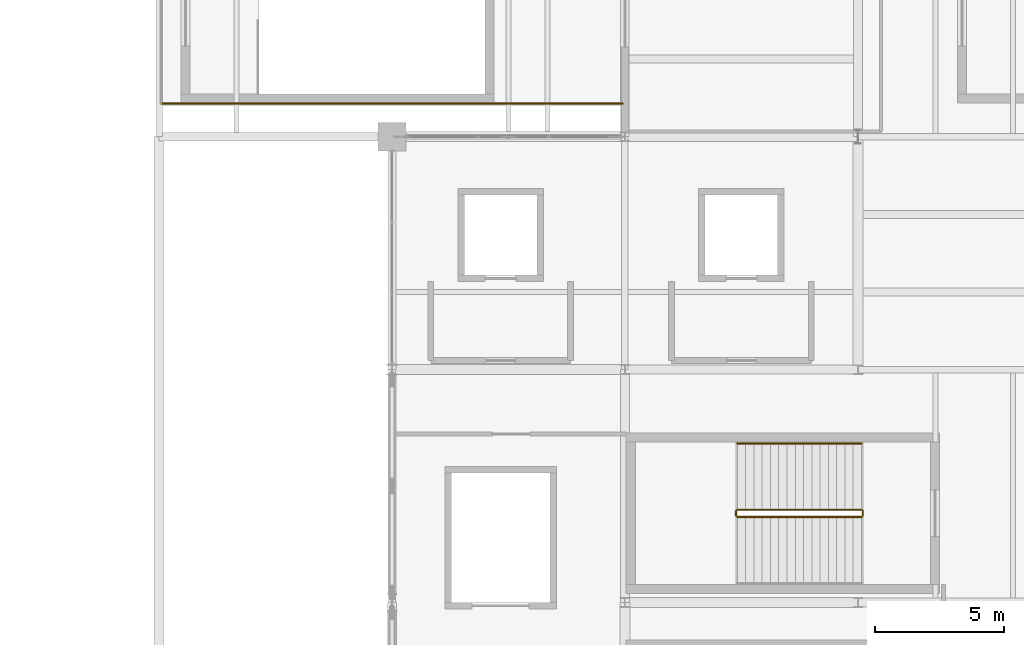
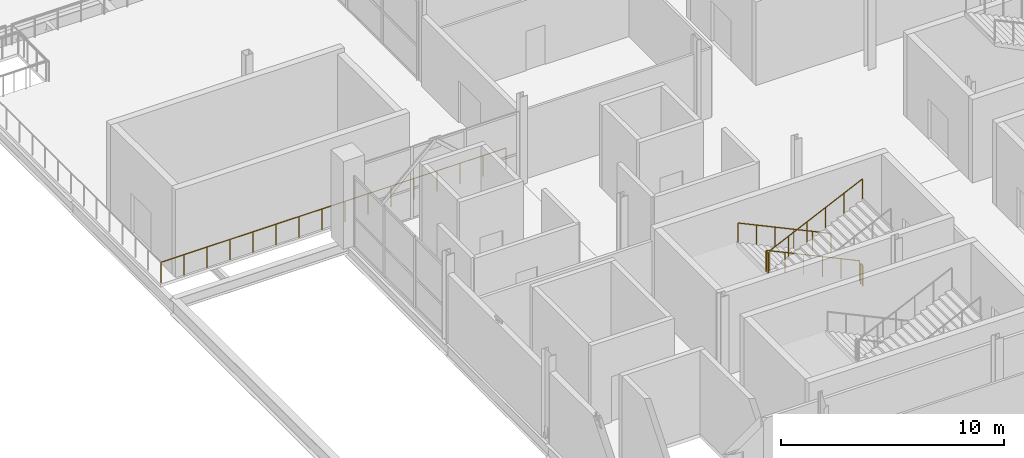
# One storey, part 48 of 50: 6 railings.
"""IFC4 building model written with IfcOpenShell, lengths in metres."""

from ifc_helpers import new_model, si_unit, direction, frame, origin, origin_2d, place, context, subcontext, project, spatial, circle, extrude, material, type_object, element, save


model = new_model("IFC4")

# Units and contexts
model_context = context("Model", 3, precision=1e-05, world=origin(), true_north=direction((0.0, 1.0)))
body_context = subcontext(model_context, "Body", "Model", "MODEL_VIEW")
ifc_project = project(units=[si_unit("LENGTHUNIT", "METRE"), si_unit("AREAUNIT", "SQUARE_METRE"), si_unit("VOLUMEUNIT", "CUBIC_METRE"), si_unit("PLANEANGLEUNIT", "RADIAN"), si_unit("MASSUNIT", "GRAM", prefix="KILO")], contexts=[model_context])

# Site, building, storey
site_placement = place(None, origin())
site = spatial("IfcSite", under=ifc_project, at=site_placement, CompositionType="ELEMENT")
building_placement = place(site_placement, origin())
building = spatial("IfcBuilding", under=site, at=building_placement, Name="Qamarlyn Nura Convention Centre", CompositionType="ELEMENT")
storey_placement = place(building_placement, frame((0.0, 0.0, 20.39990234375)))
storey = spatial("IfcBuildingStorey", under=building, at=storey_placement, Name="L04", CompositionType="ELEMENT", Elevation=20.39990234375)

# Railings
ifc_material = material(Name="Marine Grade 316 stainless steel", Category="steel")
railing_type_1 = type_object("IfcRailingType", Name="GRD-STAIR-112", PredefinedType="BALUSTRADE", material=ifc_material)
railing_1_placement = place(storey_placement, frame((171.139892578125, 66.590087890625, 0.150146484375)))
element("IfcRailing", 1, at=railing_1_placement, inside=storey, type_object=railing_type_1, Name="L04 ST-12 stair guard 1", PredefinedType="BALUSTRADE", context=body_context, shape_type="SweptSolid", body=[
    extrude(circle(Radius=0.02392578125, at=origin_2d()), frame((0.0, 0.0, 1.09619140625), z_axis=(-0.905452298538, 0.0, 0.424448035774), x_axis=(0.0, -1.0, 0.0)), (0.0, 0.0, 1.0), 5.301025390625),
    extrude(circle(Radius=0.02099609375, at=origin_2d()), origin(), (0.0, 0.0, 1.0), 1.070068359375),
    extrude(circle(Radius=0.02099609375, at=origin_2d()), frame((-0.9599609375, 0.0, 0.449951171875)), (0.0, 0.0, 1.0), 1.070068359375),
    extrude(circle(Radius=0.02099609375, at=origin_2d()), frame((-1.919921875, 0.0, 0.89990234375)), (0.0, 0.0, 1.0), 1.070068359375),
    extrude(circle(Radius=0.02099609375, at=origin_2d()), frame((-2.8798828125, 0.0, 1.35009765625)), (0.0, 0.0, 1.0), 1.070068359375),
    extrude(circle(Radius=0.02099609375, at=origin_2d()), frame((-3.83984375, 0.0, 1.800048828125)), (0.0, 0.0, 1.0), 1.070068359375),
    extrude(circle(Radius=0.02099609375, at=origin_2d()), frame((-4.7998046875, 0.0, 2.25)), (0.0, 0.0, 1.0), 1.070068359375),
])
railing_2_placement = place(storey_placement, frame((166.2900390625, 66.5400390625, 2.400146484375)))
element("IfcRailing", 2, at=railing_2_placement, inside=storey, type_object=railing_type_1, Name="L04 ST-12 stair guard 2", PredefinedType="BALUSTRADE", context=body_context, shape_type="SweptSolid", body=[
    extrude(circle(Radius=0.02392578125, at=origin_2d()), frame((0.0, 0.0, 1.09619140625), z_axis=(0.0, -1.0, 0.0), x_axis=(1.0, 0.0, 0.0)), (0.0, 0.0, 1.0), 0.179931640625),
    extrude(circle(Radius=0.02099609375, at=origin_2d()), origin(), (0.0, 0.0, 1.0), 1.070068359375),
    extrude(circle(Radius=0.02099609375, at=origin_2d()), frame((0.0, -0.179931640625, 0.0)), (0.0, 0.0, 1.0), 1.070068359375),
])
railing_3_placement = place(storey_placement, frame((166.340087890625, 66.31005859375, 2.550048828125)))
element("IfcRailing", 3, at=railing_3_placement, inside=storey, type_object=railing_type_1, Name="L04 ST-12 stair guard 3", PredefinedType="BALUSTRADE", context=body_context, shape_type="SweptSolid", body=[
    extrude(circle(Radius=0.02392578125, at=origin_2d()), frame((0.0, 0.0, 1.09619140625), z_axis=(0.905452298538, 0.0, 0.424448035774), x_axis=(0.0, 1.0, 0.0)), (0.0, 0.0, 1.0), 5.301025390625),
    extrude(circle(Radius=0.02099609375, at=origin_2d()), origin(), (0.0, 0.0, 1.0), 1.070068359375),
    extrude(circle(Radius=0.02099609375, at=origin_2d()), frame((0.9599609375, 0.0, 0.449951171875)), (0.0, 0.0, 1.0), 1.070068359375),
    extrude(circle(Radius=0.02099609375, at=origin_2d()), frame((1.919921875, 0.0, 0.89990234375)), (0.0, 0.0, 1.0), 1.070068359375),
    extrude(circle(Radius=0.02099609375, at=origin_2d()), frame((2.8798828125, 0.0, 1.35009765625)), (0.0, 0.0, 1.0), 1.070068359375),
    extrude(circle(Radius=0.02099609375, at=origin_2d()), frame((3.83984375, 0.0, 1.800048828125)), (0.0, 0.0, 1.0), 1.070068359375),
    extrude(circle(Radius=0.02099609375, at=origin_2d()), frame((4.7998046875, 0.0, 2.25)), (0.0, 0.0, 1.0), 1.070068359375),
])
railing_4_placement = place(storey_placement, frame((171.18994140625, 66.5400390625, 0.0)))
element("IfcRailing", 4, at=railing_4_placement, inside=storey, type_object=railing_type_1, Name="L04 ST-12 stair guard 4", PredefinedType="BALUSTRADE", context=body_context, shape_type="SweptSolid", body=[
    extrude(circle(Radius=0.02392578125, at=origin_2d()), frame((0.0, 0.0, 1.09619140625), z_axis=(0.0, -1.0, 0.0), x_axis=(1.0, 0.0, 0.0)), (0.0, 0.0, 1.0), 0.179931640625),
    extrude(circle(Radius=0.02099609375, at=origin_2d()), origin(), (0.0, 0.0, 1.0), 1.070068359375),
    extrude(circle(Radius=0.02099609375, at=origin_2d()), frame((0.0, -0.179931640625, 0.0)), (0.0, 0.0, 1.0), 1.070068359375),
])
railing_type_2 = type_object("IfcRailingType", Name="GRD-TERR-115", PredefinedType="BALUSTRADE", material=ifc_material)
railing_5_placement = place(storey_placement, frame((161.919921875, 82.280029296875, 0.0)))
element("IfcRailing", 5, at=railing_5_placement, inside=storey, type_object=railing_type_2, Name="L04 Sky-Court Terrace perimeter guard 1", PredefinedType="BALUSTRADE", context=body_context, shape_type="SweptSolid", body=[
    extrude(circle(Radius=0.02392578125, at=origin_2d()), frame((0.0, 0.0, 1.1259765625), z_axis=(-1.0, 0.0, 0.0), x_axis=(0.0, -1.0, 0.0)), (0.0, 0.0, 1.0), 17.83984375),
    extrude(circle(Radius=0.02099609375, at=origin_2d()), origin(), (0.0, 0.0, 1.0), 1.099853515625),
    extrude(circle(Radius=0.02099609375, at=origin_2d()), frame((-1.189208984375, 0.0, 0.0)), (0.0, 0.0, 1.0), 1.099853515625),
    extrude(circle(Radius=0.02099609375, at=origin_2d()), frame((-2.378662109375, 0.0, 0.0)), (0.0, 0.0, 1.0), 1.099853515625),
    extrude(circle(Radius=0.02099609375, at=origin_2d()), frame((-3.56787109375, 0.0, 0.0)), (0.0, 0.0, 1.0), 1.099853515625),
    extrude(circle(Radius=0.02099609375, at=origin_2d()), frame((-4.75732421875, 0.0, 0.0)), (0.0, 0.0, 1.0), 1.099853515625),
    extrude(circle(Radius=0.02099609375, at=origin_2d()), frame((-5.946533203125, 0.0, 0.0)), (0.0, 0.0, 1.0), 1.099853515625),
    extrude(circle(Radius=0.02099609375, at=origin_2d()), frame((-7.135986328125, 0.0, 0.0)), (0.0, 0.0, 1.0), 1.099853515625),
    extrude(circle(Radius=0.02099609375, at=origin_2d()), frame((-8.3251953125, 0.0, 0.0)), (0.0, 0.0, 1.0), 1.099853515625),
    extrude(circle(Radius=0.02099609375, at=origin_2d()), frame((-9.5146484375, 0.0, 0.0)), (0.0, 0.0, 1.0), 1.099853515625),
    extrude(circle(Radius=0.02099609375, at=origin_2d()), frame((-10.703857421875, 0.0, 0.0)), (0.0, 0.0, 1.0), 1.099853515625),
    extrude(circle(Radius=0.02099609375, at=origin_2d()), frame((-11.893310546875, 0.0, 0.0)), (0.0, 0.0, 1.0), 1.099853515625),
    extrude(circle(Radius=0.02099609375, at=origin_2d()), frame((-13.08251953125, 0.0, 0.0)), (0.0, 0.0, 1.0), 1.099853515625),
    extrude(circle(Radius=0.02099609375, at=origin_2d()), frame((-14.27197265625, 0.0, 0.0)), (0.0, 0.0, 1.0), 1.099853515625),
    extrude(circle(Radius=0.02099609375, at=origin_2d()), frame((-15.461181640625, 0.0, 0.0)), (0.0, 0.0, 1.0), 1.099853515625),
    extrude(circle(Radius=0.02099609375, at=origin_2d()), frame((-16.650634765625, 0.0, 0.0)), (0.0, 0.0, 1.0), 1.099853515625),
    extrude(circle(Radius=0.02099609375, at=origin_2d()), frame((-17.83984375, 0.0, 0.0)), (0.0, 0.0, 1.0), 1.099853515625),
])
railing_type_3 = type_object("IfcRailingType", Name="HRL-STAIR-090", PredefinedType="HANDRAIL", material=ifc_material)
railing_6_placement = place(storey_placement, frame((171.139892578125, 69.14990234375, 0.302490234375)))
element("IfcRailing", 6, at=railing_6_placement, inside=storey, type_object=railing_type_3, Name="L04 ST-12 stair handrail 1", PredefinedType="HANDRAIL", context=body_context, shape_type="SweptSolid", body=[
    extrude(circle(Radius=0.02392578125, at=origin_2d()), frame((0.0, 0.0, 0.88818359375), z_axis=(-0.905452298538, 0.0, 0.424448035774), x_axis=(0.0, -1.0, 0.0)), (0.0, 0.0, 1.0), 5.301025390625),
    extrude(circle(Radius=0.02099609375, at=origin_2d()), frame((0.0, 0.0, -0.155029296875)), (0.0, 0.0, 1.0), 1.01708984375),
    extrude(circle(Radius=0.02099609375, at=origin_2d()), frame((-0.9599609375, 0.0, 0.294921875)), (0.0, 0.0, 1.0), 1.01708984375),
    extrude(circle(Radius=0.02099609375, at=origin_2d()), frame((-1.919921875, 0.0, 0.744873046875)), (0.0, 0.0, 1.0), 1.01708984375),
    extrude(circle(Radius=0.02099609375, at=origin_2d()), frame((-2.8798828125, 0.0, 1.195068359375)), (0.0, 0.0, 1.0), 1.01708984375),
    extrude(circle(Radius=0.02099609375, at=origin_2d()), frame((-3.83984375, 0.0, 1.64501953125)), (0.0, 0.0, 1.0), 1.01708984375),
    extrude(circle(Radius=0.02099609375, at=origin_2d()), frame((-4.7998046875, 0.0, 2.094970703125)), (0.0, 0.0, 1.0), 1.01708984375),
])

save(model, "model.ifc")
